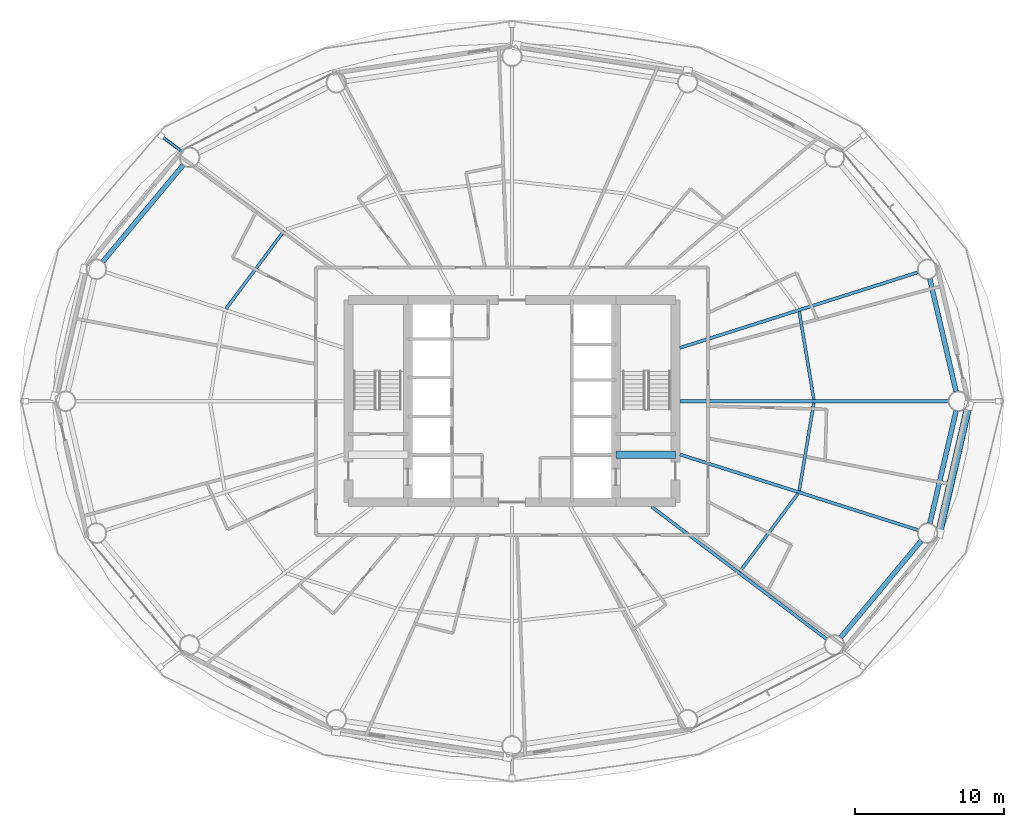
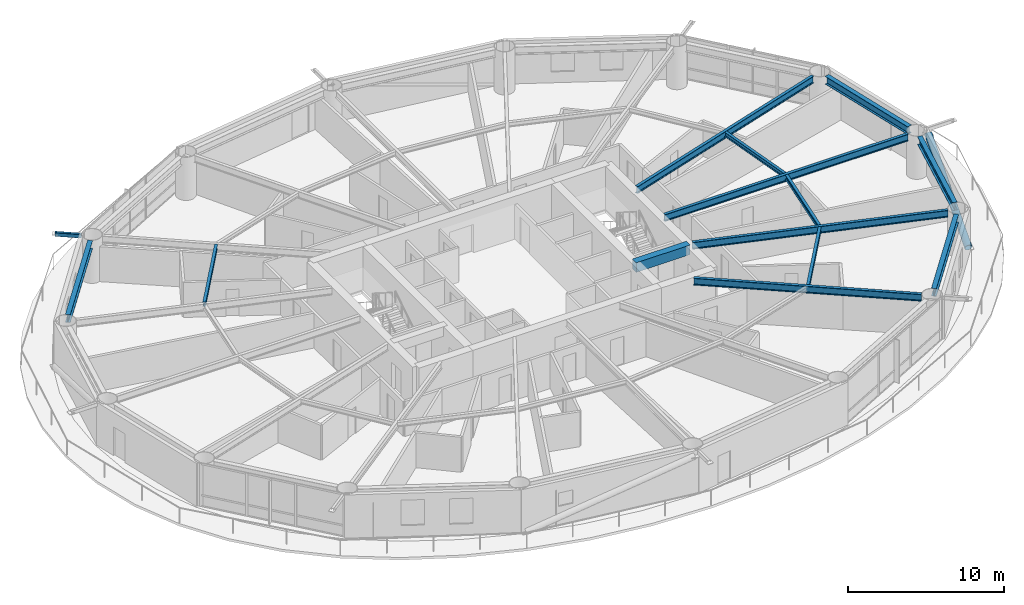
# One storey, part 9 of 26: 13 beams, 2 members.
"""IFC4 building model written with IfcOpenShell, lengths in metres."""

import ifcopenshell
import ifcopenshell.guid

model = None  # the IFC model being written
_history = None  # IfcOwnerHistory: only IFC2X3 demands one
_inside = {}  # id of a spatial element -> (the spatial element, [elements in it])
_under = {}  # id of a project, library or spatial element -> (it, [spatial elements below it])
_declared = {}  # id of a project -> (the project, [libraries it declares])
_typed = {}  # id of a type object -> (the type object, [elements of that type])
_made_of = {}  # id of a material, layer set ... -> (it, [elements and type objects made of it])


def new_model(schema):
    """Start an empty IFC model of exactly this schema.

    Asked for "IFC4X3", IfcOpenShell would pick the latest addendum, in which some entities
    have other attributes; the version numbers below select the first issue.
    IFC2X3 requires an IfcOwnerHistory on every rooted entity: one is made here for all.
    """
    global model, _history
    if schema == "IFC4X3":
        model = ifcopenshell.file(schema_version=(4, 3, 0, 0))
    else:
        model = ifcopenshell.file(schema=schema)
    _inside.clear()
    _under.clear()
    _declared.clear()
    _typed.clear()
    _made_of.clear()
    _history = None
    if model.schema == "IFC2X3":
        org = make("IfcOrganization", Name="unknown")
        user = make(
            "IfcPersonAndOrganization",
            ThePerson=make("IfcPerson", FamilyName="unknown"),
            TheOrganization=org,
        )
        app = make(
            "IfcApplication",
            ApplicationDeveloper=org,
            Version="unknown",
            ApplicationFullName="unknown",
            ApplicationIdentifier="unknown",
        )
        _history = make(
            "IfcOwnerHistory",
            OwningUser=user,
            OwningApplication=app,
            ChangeAction="ADDED",
            CreationDate=0,
        )
    return model


def make(cls, **values):
    """One entity of the class cls with the attributes given. An attribute that is None is left unset."""
    return model.create_entity(
        cls, **{name: value for name, value in values.items() if value is not None}
    )


def rooted(cls, **values):
    """An entity with a GlobalId (a new one), such as an element, a storey or a relation."""
    return make(cls, GlobalId=ifcopenshell.guid.new(), OwnerHistory=_history, **values)


def si_unit(unit_type, name, prefix=None):
    """IfcSIUnit, for example si_unit("LENGTHUNIT", "METRE", prefix="MILLI")."""
    return make("IfcSIUnit", UnitType=unit_type, Prefix=prefix, Name=name)


def assignment(units):
    """IfcUnitAssignment: the units of a project."""
    return None if units is None else make("IfcUnitAssignment", Units=units)


def point(xyz):
    """IfcCartesianPoint."""
    return None if xyz is None else make("IfcCartesianPoint", Coordinates=xyz)


def direction(xyz):
    """IfcDirection."""
    return None if xyz is None else make("IfcDirection", DirectionRatios=xyz)


def frame(location, z_axis=None, x_axis=None):
    """IfcAxis2Placement3D, a coordinate frame: its origin and axes. An axis left out is left unset."""
    return make(
        "IfcAxis2Placement3D",
        Location=point(location),
        Axis=direction(z_axis),
        RefDirection=direction(x_axis),
    )


def frame_2d(location, x_axis=None):
    """IfcAxis2Placement2D, a coordinate frame in the plane: its origin and x axis."""
    return make(
        "IfcAxis2Placement2D", Location=point(location), RefDirection=direction(x_axis)
    )


def origin():
    """The frame at (0, 0, 0) with its axes left unset."""
    return frame((0.0, 0.0, 0.0))


def origin_2d():
    """The frame at (0, 0) in the plane with its x axis left unset."""
    return frame_2d((0.0, 0.0))


def place(relative_to, where):
    """IfcLocalPlacement: puts the frame where relative to a parent placement (None: the world)."""
    return make(
        "IfcLocalPlacement", PlacementRelTo=relative_to, RelativePlacement=where
    )


def context(
    kind, dimensions, precision=None, world=None, true_north=None, identifier=None
):
    """IfcGeometricRepresentationContext, for example the 3D "Model" context."""
    return make(
        "IfcGeometricRepresentationContext",
        ContextIdentifier=identifier,
        ContextType=kind,
        CoordinateSpaceDimension=dimensions,
        Precision=precision,
        WorldCoordinateSystem=world,
        TrueNorth=true_north,
    )


def subcontext(parent, identifier, kind, view, scale=None):
    """IfcGeometricRepresentationSubContext, for example "Body" below "Model"."""
    return make(
        "IfcGeometricRepresentationSubContext",
        ContextIdentifier=identifier,
        ContextType=kind,
        ParentContext=parent,
        TargetScale=scale,
        TargetView=view,
    )


def project(units=None, contexts=None):
    """IfcProject with its units and contexts."""
    return rooted(
        "IfcProject",
        Name="project",
        RepresentationContexts=contexts,
        UnitsInContext=assignment(units),
    )


def spatial(cls, under=None, at=None, **own):
    """A site, building, storey or space (cls), placed at a placement, below another one or the project."""
    s = rooted(cls, ObjectPlacement=at, **own)
    if under is not None:
        _under.setdefault(under.id(), (under, []))[1].append(s)
    return s


def profile(cls, at=None, kind="AREA", **sizes):
    """A parametric profile (cls). Its sizes go by their IFC names, for example OverallWidth=200.0."""
    return make(cls, ProfileType=kind, Position=at, **sizes)


def rectangle(**sizes):
    """IfcRectangleProfileDef."""
    return profile("IfcRectangleProfileDef", **sizes)


def hollow_rectangle(**sizes):
    """IfcRectangleHollowProfileDef."""
    return profile("IfcRectangleHollowProfileDef", **sizes)


def hollow_circle(**sizes):
    """IfcCircleHollowProfileDef."""
    return profile("IfcCircleHollowProfileDef", **sizes)


def i_section(**sizes):
    """IfcIShapeProfileDef."""
    return profile("IfcIShapeProfileDef", **sizes)


def extrude(swept, where, along, depth):
    """IfcExtrudedAreaSolid: the profile swept, set in the frame where, extruded along a direction by depth."""
    return make(
        "IfcExtrudedAreaSolid",
        SweptArea=swept,
        Position=where,
        ExtrudedDirection=direction(along),
        Depth=depth,
    )


def shape(context_of_items, identifier, shape_type, items):
    """IfcShapeRepresentation: the items that make up one representation, for example the "Body"."""
    return make(
        "IfcShapeRepresentation",
        ContextOfItems=context_of_items,
        RepresentationIdentifier=identifier,
        RepresentationType=shape_type,
        Items=items,
    )


def material(Name=None, Category=None):
    """IfcMaterial."""
    return make("IfcMaterial", Name=Name, Category=Category)


def material_profile(
    of_material, cross_section, Name=None, Category=None, Priority=None
):
    """IfcMaterialProfile: a cross section and its material."""
    return make(
        "IfcMaterialProfile",
        Name=Name,
        Material=of_material,
        Profile=cross_section,
        Priority=Priority,
        Category=Category,
    )


def profile_set(profiles, Name=None, composite=None):
    """IfcMaterialProfileSet."""
    return make(
        "IfcMaterialProfileSet",
        Name=Name,
        MaterialProfiles=profiles,
        CompositeProfile=composite,
    )


def made_of(thing, what):
    """Note that an element or type object is made of a material, layer set ...; save() writes the relation."""
    if what is not None:
        _made_of.setdefault(what.id(), (what, []))[1].append(thing)
    return thing


def type_object(cls, material=None, **own):
    """A type object (cls), such as IfcWallType, which elements share."""
    return made_of(rooted(cls, **own), material)


def element(
    cls,
    number,
    at=None,
    inside=None,
    cuts=None,
    type_object=None,
    material=None,
    context=None,
    identifier="Body",
    shape_type=None,
    held_by="IfcProductDefinitionShape",
    body=None,
    shapes=None,
    **own,
):
    """One element of the class cls, such as IfcWall. Its Tag is "e" and its number.

    at: its placement. inside: the storey or other place that contains it. cuts: it is an
    opening in that element (IfcRelVoidsElement). A single representation is given by context,
    identifier, shape_type and body (its items); several are given by shapes. held_by: the class
    of the entity that holds the representations. save() writes the other relations.
    """
    e = rooted(cls, Tag="e%d" % number, ObjectPlacement=at, **own)
    if body is not None:
        shapes = [shape(context, identifier, shape_type, body)]
    if shapes is not None:
        e.Representation = make(held_by, Representations=shapes)
    if inside is not None:
        _inside.setdefault(inside.id(), (inside, []))[1].append(e)
    if cuts is not None:
        rooted(
            "IfcRelVoidsElement", RelatingBuildingElement=cuts, RelatedOpeningElement=e
        )
    if type_object is not None:
        _typed.setdefault(type_object.id(), (type_object, []))[1].append(e)
    return made_of(e, material)


def aggregate(whole, parts):
    """IfcRelAggregates: a whole, such as a stair, and the parts it consists of."""
    return rooted("IfcRelAggregates", RelatingObject=whole, RelatedObjects=parts)


def save(model, path):
    """Write the relations noted so far, then the file.

    IfcRelAggregates (storeys below a building ...), IfcRelContainedInSpatialStructure (elements
    in a storey), IfcRelDefinesByType, IfcRelAssociatesMaterial and IfcRelDeclares: one each for
    every whole, place, type object, material and project.
    """
    for whole, parts in _under.values():
        aggregate(whole, parts)
    for where, things in _inside.values():
        rooted(
            "IfcRelContainedInSpatialStructure",
            RelatedElements=things,
            RelatingStructure=where,
        )
    for kind, things in _typed.values():
        rooted("IfcRelDefinesByType", RelatedObjects=things, RelatingType=kind)
    for what, things in _made_of.values():
        rooted("IfcRelAssociatesMaterial", RelatedObjects=things, RelatingMaterial=what)
    for by, libraries in _declared.values():
        rooted("IfcRelDeclares", RelatingContext=by, RelatedDefinitions=libraries)
    model.write(path)


model = new_model("IFC4")

# Units and contexts
model_context = context("Model", 3, precision=1e-05, world=origin(), true_north=direction((0.0, 1.0)))
body_context = subcontext(model_context, "Body", "Model", "MODEL_VIEW")
ifc_project = project(units=[si_unit("LENGTHUNIT", "METRE"), si_unit("AREAUNIT", "SQUARE_METRE"), si_unit("VOLUMEUNIT", "CUBIC_METRE"), si_unit("PLANEANGLEUNIT", "RADIAN"), si_unit("MASSUNIT", "GRAM", prefix="KILO")], contexts=[model_context])

# Site, building, storey
site_placement = place(None, origin())
site = spatial("IfcSite", under=ifc_project, at=site_placement, CompositionType="ELEMENT")
building_placement = place(site_placement, origin())
building = spatial("IfcBuilding", under=site, at=building_placement, Name="Sarneth Arch Tower", CompositionType="ELEMENT")
storey_placement = place(building_placement, frame((0.0, 0.0, 39.0)))
storey = spatial("IfcBuildingStorey", under=building, at=storey_placement, Name="L08", CompositionType="ELEMENT", Elevation=39.0)

# Beams
ifc_material_1 = material(Name="Steel S355", Category="steel")
ifc_material_profile_1 = material_profile(ifc_material_1, i_section(OverallWidth=0.2041015625, OverallDepth=0.35009765625, WebThickness=0.008544921875, FlangeThickness=0.01513671875, FilletRadius=0.014892578125, at=origin_2d()), Name="W360x72")
ifc_profile_set_1 = profile_set([ifc_material_profile_1], Name="Steel S355")
beam_type_1 = type_object("IfcBeamType", Name="BM-JOIST-360D", PredefinedType="JOIST", material=ifc_profile_set_1)
beam_1_placement = place(storey_placement, frame((68.312255859375, 42.10546875, 3.205078125), z_axis=(-0.163917352659, 0.986474075431, 0.0), x_axis=(-0.986474075431, -0.163917352659, 0.0)))
element("IfcBeam", 1, at=beam_1_placement, inside=storey, type_object=beam_type_1, Name="L08 Secondary floor joist 01", PredefinedType="JOIST", context=body_context, shape_type="SweptSolid", body=[
    extrude(i_section(OverallWidth=0.2041015625, OverallDepth=0.35009765625, WebThickness=0.008544921875, FlangeThickness=0.01513671875, FilletRadius=0.014892578125, at=origin_2d()), origin(), (0.0, 0.0, 1.0), 6.000732421875),
])
for number, where, z_axis, x_axis, name in (
    (2, (32.661865234375, 53.463134765625, 3.205078125), (-0.597453564101, -0.801903509621, 0.0), (0.801903509621, -0.597453564101, 0.0), "L08 Secondary floor joist 07"),
    (3, (63.338134765625, 30.536865234375, 3.205078125), (0.597453564101, 0.801903509621, 0.0), (-0.801903509621, 0.597453564101, 0.0), "L08 Secondary floor joist 15"),
):
    element("IfcBeam", number, at=place(storey_placement, frame(where, z_axis=z_axis, x_axis=x_axis)), inside=storey, type_object=beam_type_1, Name=name, PredefinedType="JOIST", context=body_context, shape_type="SweptSolid", body=[
        extrude(i_section(OverallWidth=0.2041015625, OverallDepth=0.35009765625, WebThickness=0.008544921875, FlangeThickness=0.01513671875, FilletRadius=0.014892578125, at=origin_2d()), origin(), (0.0, 0.0, 1.0), 6.542724609375),
    ])
beam_2_placement = place(storey_placement, frame((67.32861328125, 35.974853515625, 3.205078125), z_axis=(0.163917352659, 0.986474075431, 0.0), x_axis=(-0.986474075431, 0.163917352659, 0.0)))
element("IfcBeam", 4, at=beam_2_placement, inside=storey, type_object=beam_type_1, Name="L08 Secondary floor joist 16", PredefinedType="JOIST", context=body_context, shape_type="SweptSolid", body=[
    extrude(i_section(OverallWidth=0.2041015625, OverallDepth=0.35009765625, WebThickness=0.008544921875, FlangeThickness=0.01513671875, FilletRadius=0.014892578125, at=origin_2d()), origin(), (0.0, 0.0, 1.0), 6.000732421875),
])
ifc_material_2 = material(Name="Concrete C50/60", Category="concrete")
ifc_material_profile_2 = material_profile(ifc_material_2, rectangle(XDim=0.5, YDim=0.75, at=origin_2d()), Name="RC-500x750")
ifc_profile_set_2 = profile_set([ifc_material_profile_2], Name="Concrete C50/60")
beam_type_2 = type_object("IfcBeamType", Name="BM-LINTEL-RC", PredefinedType="LINTEL", material=ifc_profile_set_2)
beam_3_placement = place(storey_placement, frame((55.0, 38.39990234375, 3.0048828125), z_axis=(1.0, 0.0, 0.0), x_axis=(0.0, 1.0, 0.0)))
element("IfcBeam", 5, at=beam_3_placement, inside=storey, type_object=beam_type_2, Name="L08 Core coupling lintel E", PredefinedType="LINTEL", context=body_context, shape_type="SweptSolid", body=[
    extrude(rectangle(XDim=0.5, YDim=0.75, at=origin_2d()), origin(), (0.0, 0.0, 1.0), 4.0),
])
ifc_material_3 = material(Name="Steel S355", Category="steel")
ifc_material_profile_3 = material_profile(ifc_material_3, i_section(OverallWidth=0.214111328125, OverallDepth=0.549072265625, WebThickness=0.0146484375, FlangeThickness=0.023681640625, FilletRadius=0.01806640625, at=origin_2d()), Name="W530x138")
ifc_profile_set_3 = profile_set([ifc_material_profile_3], Name="Steel S355")
beam_type_3 = type_object("IfcBeamType", Name="BM-RAD-530A", PredefinedType="BEAM", material=ifc_profile_set_3)
beam_4_placement = place(storey_placement, frame((59.300048828125, 42.0, 3.10546875), z_axis=(1.0, 0.0, 0.0), x_axis=(0.0, 1.0, 0.0)))
element("IfcBeam", 6, at=beam_4_placement, inside=storey, type_object=beam_type_3, Name="L08 Radial floor girder 01", PredefinedType="BEAM", context=body_context, shape_type="SweptSolid", body=[
    extrude(i_section(OverallWidth=0.214111328125, OverallDepth=0.549072265625, WebThickness=0.0146484375, FlangeThickness=0.023681640625, FilletRadius=0.01806640625, at=origin_2d()), origin(), (0.0, 0.0, 1.0), 18.059814453125),
])
beam_5_placement = place(storey_placement, frame((59.300048828125, 45.58740234375, 3.10546875), z_axis=(0.953119945629, 0.302592744864, 0.0), x_axis=(-0.302592744864, 0.953119945629, 0.0)))
element("IfcBeam", 7, at=beam_5_placement, inside=storey, type_object=beam_type_3, Name="L08 Radial floor girder 02", PredefinedType="BEAM", context=body_context, shape_type="SweptSolid", body=[
    extrude(i_section(OverallWidth=0.214111328125, OverallDepth=0.549072265625, WebThickness=0.0146484375, FlangeThickness=0.023681640625, FilletRadius=0.01806640625, at=origin_2d()), origin(), (0.0, 0.0, 1.0), 16.810302734375),
])
beam_6_placement = place(storey_placement, frame((57.390380859375, 34.89990234375, 3.10546875), z_axis=(0.797656612852, -0.603111870198, 0.0), x_axis=(0.603111870198, 0.797656612852, 0.0)))
element("IfcBeam", 8, at=beam_6_placement, inside=storey, type_object=beam_type_3, Name="L08 Radial floor girder 15", PredefinedType="BEAM", context=body_context, shape_type="SweptSolid", body=[
    extrude(i_section(OverallWidth=0.214111328125, OverallDepth=0.549072265625, WebThickness=0.0146484375, FlangeThickness=0.023681640625, FilletRadius=0.01806640625, at=origin_2d()), origin(), (0.0, 0.0, 1.0), 14.7529296875),
])
beam_7_placement = place(storey_placement, frame((59.300048828125, 38.41259765625, 3.10546875), z_axis=(0.953119945629, -0.302592744864, 0.0), x_axis=(0.302592744864, 0.953119945629, 0.0)))
element("IfcBeam", 9, at=beam_7_placement, inside=storey, type_object=beam_type_3, Name="L08 Radial floor girder 16", PredefinedType="BEAM", context=body_context, shape_type="SweptSolid", body=[
    extrude(i_section(OverallWidth=0.214111328125, OverallDepth=0.549072265625, WebThickness=0.0146484375, FlangeThickness=0.023681640625, FilletRadius=0.01806640625, at=origin_2d()), origin(), (0.0, 0.0, 1.0), 16.810302734375),
])
ifc_material_4 = material(Name="Steel S355", Category="steel")
ifc_material_profile_4 = material_profile(ifc_material_4, i_section(OverallWidth=0.326904296875, OverallDepth=0.6220703125, WebThickness=0.015380859375, FlangeThickness=0.0244140625, FilletRadius=0.01904296875, at=origin_2d()), Name="W610x195")
ifc_profile_set_4 = profile_set([ifc_material_profile_4], Name="Steel S355")
beam_type_4 = type_object("IfcBeamType", Name="BM-SPAN-610A", PredefinedType="SPANDREL", material=ifc_profile_set_4)
beam_8_placement = place(storey_placement, frame((77.881591796875, 42.657470703125, 3.069091796875), z_axis=(-0.227001042423, 0.973894515201, 0.0), x_axis=(-0.973894515201, -0.227001042423, 0.0)))
element("IfcBeam", 10, at=beam_8_placement, inside=storey, type_object=beam_type_4, Name="L08 Perimeter spandrel beam 01", PredefinedType="SPANDREL", context=body_context, shape_type="SweptSolid", body=[
    extrude(i_section(OverallWidth=0.326904296875, OverallDepth=0.6220703125, WebThickness=0.015380859375, FlangeThickness=0.0244140625, FilletRadius=0.01904296875, at=origin_2d()), origin(), (0.0, 0.0, 1.0), 7.76611328125),
])
for number, where, z_axis, x_axis, name in (
    (11, (25.871337890625, 57.88623046875, 3.069091796875), (-0.639979646835, -0.768391860731, 0.0), (0.768391860731, -0.639979646835, 0.0), "L08 Perimeter spandrel beam 07"),
    (12, (70.128662109375, 26.11376953125, 3.069091796875), (0.639979646835, 0.768391860731, 0.0), (-0.768391860731, 0.639979646835, 0.0), "L08 Perimeter spandrel beam 15"),
):
    element("IfcBeam", number, at=place(storey_placement, frame(where, z_axis=z_axis, x_axis=x_axis)), inside=storey, type_object=beam_type_4, Name=name, PredefinedType="SPANDREL", context=body_context, shape_type="SweptSolid", body=[
        extrude(i_section(OverallWidth=0.326904296875, OverallDepth=0.6220703125, WebThickness=0.015380859375, FlangeThickness=0.0244140625, FilletRadius=0.01904296875, at=origin_2d()), origin(), (0.0, 0.0, 1.0), 8.4453125),
    ])
beam_9_placement = place(storey_placement, frame((76.11865234375, 33.779052734375, 3.069091796875), z_axis=(0.227001042423, 0.973894515201, 0.0), x_axis=(-0.973894515201, 0.227001042423, 0.0)))
element("IfcBeam", 13, at=beam_9_placement, inside=storey, type_object=beam_type_4, Name="L08 Perimeter spandrel beam 16", PredefinedType="SPANDREL", context=body_context, shape_type="SweptSolid", body=[
    extrude(i_section(OverallWidth=0.326904296875, OverallDepth=0.6220703125, WebThickness=0.015380859375, FlangeThickness=0.0244140625, FilletRadius=0.01904296875, at=origin_2d()), origin(), (0.0, 0.0, 1.0), 7.76611328125),
])

# Members
ifc_material_5 = material(Name="Steel S355", Category="steel")
ifc_material_profile_5 = material_profile(ifc_material_5, hollow_rectangle(XDim=0.199951171875, YDim=0.300048828125, WallThickness=0.012451171875, InnerFilletRadius=0.018798828125, OuterFilletRadius=0.03125, at=origin_2d()), Name="RHS300x200x12.5")
ifc_profile_set_5 = profile_set([ifc_material_profile_5], Name="Steel S355")
member_type_1 = type_object("IfcMemberType", Name="MEM-CANT-STRUT", PredefinedType="STRUT", material=ifc_profile_set_5)
member_1_placement = place(storey_placement, frame((25.764892578125, 58.81201171875, 3.219970703125), z_axis=(-0.797666026113, 0.603099420316, 0.0), x_axis=(-0.603099420316, -0.797666026113, 0.0)))
element("IfcMember", 14, at=member_1_placement, inside=storey, type_object=member_type_1, Name="L08 Balcony cantilever bracket 07", PredefinedType="STRUT", context=body_context, shape_type="SweptSolid", body=[
    extrude(hollow_rectangle(XDim=0.199951171875, YDim=0.300048828125, WallThickness=0.012451171875, InnerFilletRadius=0.018798828125, OuterFilletRadius=0.03125, at=origin_2d()), origin(), (0.0, 0.0, 1.0), 1.71142578125),
])
ifc_material_6 = material(Name="Steel S355", Category="steel")
ifc_material_profile_6 = material_profile(ifc_material_6, hollow_circle(Radius=0.25390625, WallThickness=0.01611328125, at=origin_2d()), Name="CHS508x16")
ifc_profile_set_6 = profile_set([ifc_material_profile_6], Name="Steel S355")
member_type_2 = type_object("IfcMemberType", Name="MEM-DIAG-BR1", PredefinedType="BRACE", material=ifc_profile_set_6)
member_2_placement = place(storey_placement, frame((76.739013671875, 33.115478515625, 0.02001953125), z_axis=(0.213332307958, 0.922814312474, 0.320785085492), x_axis=(-0.974304339016, 0.225235554419, 0.0)))
element("IfcMember", 15, at=member_2_placement, inside=storey, type_object=member_type_2, Name="L08 Perimeter frame diagonal 16", PredefinedType="BRACE", context=body_context, shape_type="SweptSolid", body=[
    extrude(hollow_circle(Radius=0.25390625, WallThickness=0.01611328125, at=origin_2d()), origin(), (0.0, 0.0, 1.0), 9.31103515625),
])

save(model, "model.ifc")
